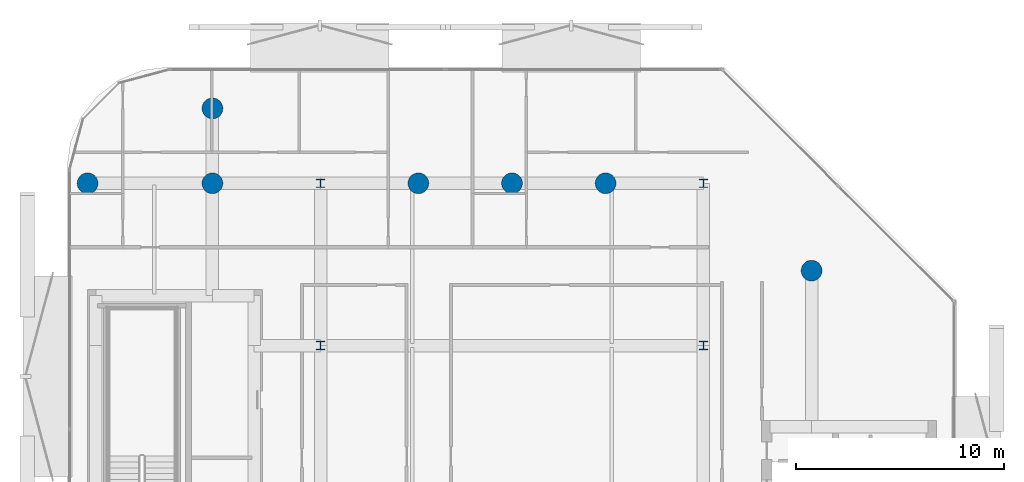
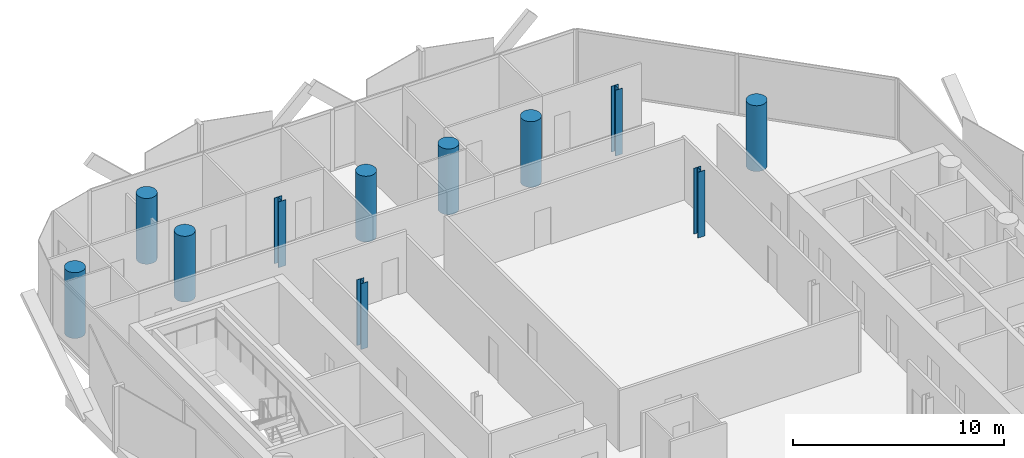
# One storey, part 2 of 15: 11 columns.
"""IFC4 building model written with IfcOpenShell, lengths in metres."""

from ifc_helpers import new_model, si_unit, direction, frame, origin, origin_2d, place, context, subcontext, project, spatial, circle, i_section, extrude, material, material_profile, profile_set, type_object, element, save


model = new_model("IFC4")

# Units and contexts
model_context = context("Model", 3, precision=1e-05, world=origin(), true_north=direction((0.0, 1.0)))
body_context = subcontext(model_context, "Body", "Model", "MODEL_VIEW")
ifc_project = project(units=[si_unit("LENGTHUNIT", "METRE"), si_unit("AREAUNIT", "SQUARE_METRE"), si_unit("VOLUMEUNIT", "CUBIC_METRE"), si_unit("PLANEANGLEUNIT", "RADIAN"), si_unit("MASSUNIT", "GRAM", prefix="KILO")], contexts=[model_context])

# Site, building, storey
site_placement = place(None, origin())
site = spatial("IfcSite", under=ifc_project, at=site_placement, CompositionType="ELEMENT")
building_placement = place(site_placement, origin())
building = spatial("IfcBuilding", under=site, at=building_placement, Name="Khairoan Windgate Tower", CompositionType="ELEMENT")
storey_placement = place(building_placement, frame((0.0, 0.0, 285.199951171875)))
storey = spatial("IfcBuildingStorey", under=building, at=storey_placement, Name="L68", CompositionType="ELEMENT", Elevation=285.199951171875)

# Columns
ifc_material_1 = material(Name="Concrete C60/75", Category="concrete")
ifc_material_profile_1 = material_profile(ifc_material_1, circle(Radius=0.5, at=origin_2d()))
ifc_profile_set_1 = profile_set([ifc_material_profile_1], Name="Concrete C60/75")
column_type_1 = type_object("IfcColumnType", Name="Column C-P1 RC-D1000", PredefinedType="COLUMN", material=ifc_profile_set_1)
for number, where, z_axis, x_axis, name in (
    (1, (-20.39990234375, 18.60009765625, 0.0), (0.0, 0.0, 1.0), (1.0, 0.0, 0.0), "Column L68-11"),
    (2, (-14.39990234375, 18.60009765625, 0.0), (0.0, 0.0, 1.0), (1.0, 0.0, 0.0), "Column L68-14"),
    (3, (14.39990234375, 14.39990234375, 0.0), (0.0, 0.0, 1.0), (1.0, 0.0, 0.0), "Column L68-16"),
    (4, (-4.5, 18.60009765625, 0.0), (0.0, 0.0, 1.0), (1.0, 0.0, 0.0), "Column L68-20"),
    (5, (0.0, 18.60009765625, 0.0), (0.0, 0.0, 1.0), (1.0, 0.0, 0.0), "Column L68-21"),
    (6, (4.5, 18.60009765625, 0.0), (0.0, 0.0, 1.0), (1.0, 0.0, 0.0), "Column L68-22"),
    (7, (-14.39990234375, 22.199951171875, 0.0), (0.0, 0.0, 1.0), (1.0, 0.0, 0.0), "Column L68-28"),
):
    element("IfcColumn", number, at=place(storey_placement, frame(where, z_axis=z_axis, x_axis=x_axis)), inside=storey, type_object=column_type_1, Name=name, PredefinedType="COLUMN", context=body_context, shape_type="SweptSolid", body=[
        extrude(circle(Radius=0.5, at=origin_2d()), origin(), (0.0, 0.0, 1.0), 3.800048828125),
    ])
ifc_material_2 = material(Name="Steel S355", Category="steel")
ifc_material_profile_2 = material_profile(ifc_material_2, i_section(OverallWidth=0.39990234375, OverallDepth=0.39990234375, WebThickness=0.012939453125, FlangeThickness=0.02099609375, FilletRadius=0.02197265625, at=origin_2d()))
ifc_profile_set_2 = profile_set([ifc_material_profile_2], Name="Steel S355")
column_type_2 = type_object("IfcColumnType", Name="Steel Column SC4 H400x400x13x21", PredefinedType="COLUMN", material=ifc_profile_set_2)
for number, where, z_axis, x_axis, name in (
    (8, (-9.199951171875, 10.800048828125, 0.0), (0.0, 0.0, 1.0), (1.0, 0.0, 0.0), "Column L68-04"),
    (9, (-9.199951171875, 18.60009765625, 0.0), (0.0, 0.0, 1.0), (1.0, 0.0, 0.0), "Column L68-05"),
    (10, (9.199951171875, 10.800048828125, 0.0), (0.0, 0.0, 1.0), (1.0, 0.0, 0.0), "Column L68-09"),
    (11, (9.199951171875, 18.60009765625, 0.0), (0.0, 0.0, 1.0), (1.0, 0.0, 0.0), "Column L68-10"),
):
    element("IfcColumn", number, at=place(storey_placement, frame(where, z_axis=z_axis, x_axis=x_axis)), inside=storey, type_object=column_type_2, Name=name, PredefinedType="COLUMN", context=body_context, shape_type="SweptSolid", body=[
        extrude(i_section(OverallWidth=0.39990234375, OverallDepth=0.39990234375, WebThickness=0.012939453125, FlangeThickness=0.02099609375, FilletRadius=0.02197265625, at=origin_2d()), origin(), (0.0, 0.0, 1.0), 3.800048828125),
    ])

save(model, "model.ifc")
